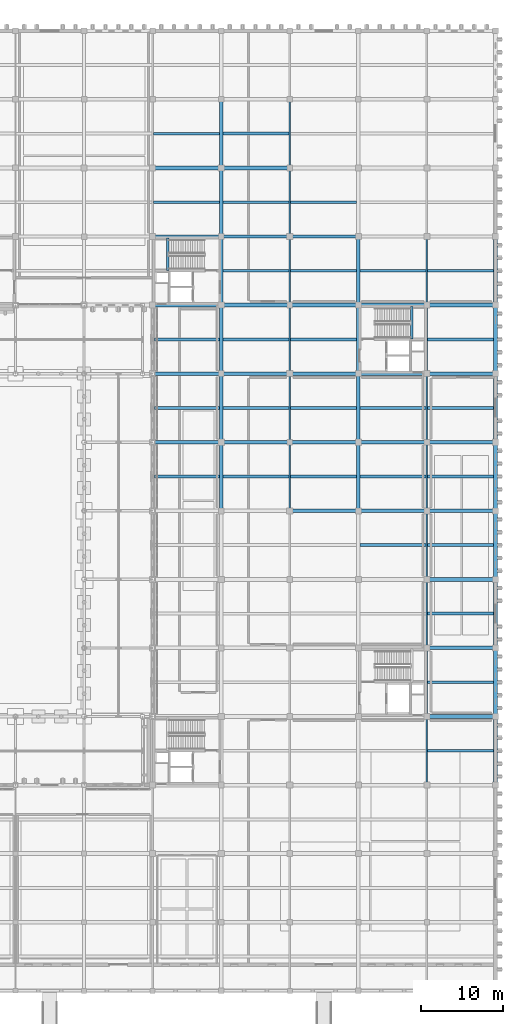
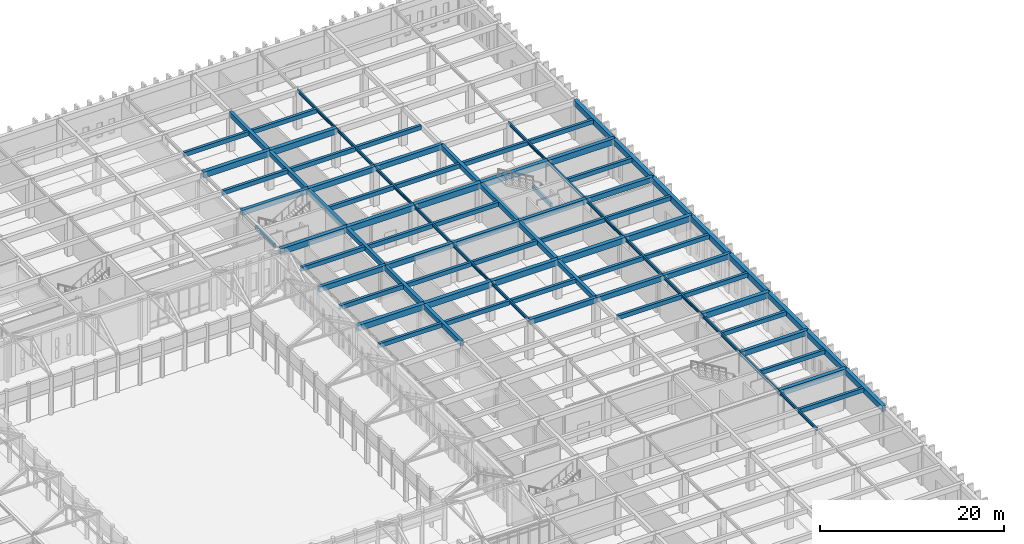
# One storey, part 69 of 143: 88 beams.
"""IFC4 building model written with IfcOpenShell, lengths in metres."""

import ifcopenshell
import ifcopenshell.guid

model = None  # the IFC model being written
_history = None  # IfcOwnerHistory: only IFC2X3 demands one
_inside = {}  # id of a spatial element -> (the spatial element, [elements in it])
_under = {}  # id of a project, library or spatial element -> (it, [spatial elements below it])
_declared = {}  # id of a project -> (the project, [libraries it declares])
_typed = {}  # id of a type object -> (the type object, [elements of that type])
_made_of = {}  # id of a material, layer set ... -> (it, [elements and type objects made of it])


def new_model(schema):
    """Start an empty IFC model of exactly this schema.

    Asked for "IFC4X3", IfcOpenShell would pick the latest addendum, in which some entities
    have other attributes; the version numbers below select the first issue.
    IFC2X3 requires an IfcOwnerHistory on every rooted entity: one is made here for all.
    """
    global model, _history
    if schema == "IFC4X3":
        model = ifcopenshell.file(schema_version=(4, 3, 0, 0))
    else:
        model = ifcopenshell.file(schema=schema)
    _inside.clear()
    _under.clear()
    _declared.clear()
    _typed.clear()
    _made_of.clear()
    _history = None
    if model.schema == "IFC2X3":
        org = make("IfcOrganization", Name="unknown")
        user = make(
            "IfcPersonAndOrganization",
            ThePerson=make("IfcPerson", FamilyName="unknown"),
            TheOrganization=org,
        )
        app = make(
            "IfcApplication",
            ApplicationDeveloper=org,
            Version="unknown",
            ApplicationFullName="unknown",
            ApplicationIdentifier="unknown",
        )
        _history = make(
            "IfcOwnerHistory",
            OwningUser=user,
            OwningApplication=app,
            ChangeAction="ADDED",
            CreationDate=0,
        )
    return model


def make(cls, **values):
    """One entity of the class cls with the attributes given. An attribute that is None is left unset."""
    return model.create_entity(
        cls, **{name: value for name, value in values.items() if value is not None}
    )


def rooted(cls, **values):
    """An entity with a GlobalId (a new one), such as an element, a storey or a relation."""
    return make(cls, GlobalId=ifcopenshell.guid.new(), OwnerHistory=_history, **values)


def si_unit(unit_type, name, prefix=None):
    """IfcSIUnit, for example si_unit("LENGTHUNIT", "METRE", prefix="MILLI")."""
    return make("IfcSIUnit", UnitType=unit_type, Prefix=prefix, Name=name)


def assignment(units):
    """IfcUnitAssignment: the units of a project."""
    return None if units is None else make("IfcUnitAssignment", Units=units)


def point(xyz):
    """IfcCartesianPoint."""
    return None if xyz is None else make("IfcCartesianPoint", Coordinates=xyz)


def direction(xyz):
    """IfcDirection."""
    return None if xyz is None else make("IfcDirection", DirectionRatios=xyz)


def frame(location, z_axis=None, x_axis=None):
    """IfcAxis2Placement3D, a coordinate frame: its origin and axes. An axis left out is left unset."""
    return make(
        "IfcAxis2Placement3D",
        Location=point(location),
        Axis=direction(z_axis),
        RefDirection=direction(x_axis),
    )


def frame_2d(location, x_axis=None):
    """IfcAxis2Placement2D, a coordinate frame in the plane: its origin and x axis."""
    return make(
        "IfcAxis2Placement2D", Location=point(location), RefDirection=direction(x_axis)
    )


def origin():
    """The frame at (0, 0, 0) with its axes left unset."""
    return frame((0.0, 0.0, 0.0))


def origin_2d():
    """The frame at (0, 0) in the plane with its x axis left unset."""
    return frame_2d((0.0, 0.0))


def place(relative_to, where):
    """IfcLocalPlacement: puts the frame where relative to a parent placement (None: the world)."""
    return make(
        "IfcLocalPlacement", PlacementRelTo=relative_to, RelativePlacement=where
    )


def context(
    kind, dimensions, precision=None, world=None, true_north=None, identifier=None
):
    """IfcGeometricRepresentationContext, for example the 3D "Model" context."""
    return make(
        "IfcGeometricRepresentationContext",
        ContextIdentifier=identifier,
        ContextType=kind,
        CoordinateSpaceDimension=dimensions,
        Precision=precision,
        WorldCoordinateSystem=world,
        TrueNorth=true_north,
    )


def subcontext(parent, identifier, kind, view, scale=None):
    """IfcGeometricRepresentationSubContext, for example "Body" below "Model"."""
    return make(
        "IfcGeometricRepresentationSubContext",
        ContextIdentifier=identifier,
        ContextType=kind,
        ParentContext=parent,
        TargetScale=scale,
        TargetView=view,
    )


def project(units=None, contexts=None):
    """IfcProject with its units and contexts."""
    return rooted(
        "IfcProject",
        Name="project",
        RepresentationContexts=contexts,
        UnitsInContext=assignment(units),
    )


def spatial(cls, under=None, at=None, **own):
    """A site, building, storey or space (cls), placed at a placement, below another one or the project."""
    s = rooted(cls, ObjectPlacement=at, **own)
    if under is not None:
        _under.setdefault(under.id(), (under, []))[1].append(s)
    return s


def profile(cls, at=None, kind="AREA", **sizes):
    """A parametric profile (cls). Its sizes go by their IFC names, for example OverallWidth=200.0."""
    return make(cls, ProfileType=kind, Position=at, **sizes)


def rectangle(**sizes):
    """IfcRectangleProfileDef."""
    return profile("IfcRectangleProfileDef", **sizes)


def i_section(**sizes):
    """IfcIShapeProfileDef."""
    return profile("IfcIShapeProfileDef", **sizes)


def extrude(swept, where, along, depth):
    """IfcExtrudedAreaSolid: the profile swept, set in the frame where, extruded along a direction by depth."""
    return make(
        "IfcExtrudedAreaSolid",
        SweptArea=swept,
        Position=where,
        ExtrudedDirection=direction(along),
        Depth=depth,
    )


def shape(context_of_items, identifier, shape_type, items):
    """IfcShapeRepresentation: the items that make up one representation, for example the "Body"."""
    return make(
        "IfcShapeRepresentation",
        ContextOfItems=context_of_items,
        RepresentationIdentifier=identifier,
        RepresentationType=shape_type,
        Items=items,
    )


def material(Name=None, Category=None):
    """IfcMaterial."""
    return make("IfcMaterial", Name=Name, Category=Category)


def material_profile(
    of_material, cross_section, Name=None, Category=None, Priority=None
):
    """IfcMaterialProfile: a cross section and its material."""
    return make(
        "IfcMaterialProfile",
        Name=Name,
        Material=of_material,
        Profile=cross_section,
        Priority=Priority,
        Category=Category,
    )


def profile_set(profiles, Name=None, composite=None):
    """IfcMaterialProfileSet."""
    return make(
        "IfcMaterialProfileSet",
        Name=Name,
        MaterialProfiles=profiles,
        CompositeProfile=composite,
    )


def made_of(thing, what):
    """Note that an element or type object is made of a material, layer set ...; save() writes the relation."""
    if what is not None:
        _made_of.setdefault(what.id(), (what, []))[1].append(thing)
    return thing


def type_object(cls, material=None, **own):
    """A type object (cls), such as IfcWallType, which elements share."""
    return made_of(rooted(cls, **own), material)


def element(
    cls,
    number,
    at=None,
    inside=None,
    cuts=None,
    type_object=None,
    material=None,
    context=None,
    identifier="Body",
    shape_type=None,
    held_by="IfcProductDefinitionShape",
    body=None,
    shapes=None,
    **own,
):
    """One element of the class cls, such as IfcWall. Its Tag is "e" and its number.

    at: its placement. inside: the storey or other place that contains it. cuts: it is an
    opening in that element (IfcRelVoidsElement). A single representation is given by context,
    identifier, shape_type and body (its items); several are given by shapes. held_by: the class
    of the entity that holds the representations. save() writes the other relations.
    """
    e = rooted(cls, Tag="e%d" % number, ObjectPlacement=at, **own)
    if body is not None:
        shapes = [shape(context, identifier, shape_type, body)]
    if shapes is not None:
        e.Representation = make(held_by, Representations=shapes)
    if inside is not None:
        _inside.setdefault(inside.id(), (inside, []))[1].append(e)
    if cuts is not None:
        rooted(
            "IfcRelVoidsElement", RelatingBuildingElement=cuts, RelatedOpeningElement=e
        )
    if type_object is not None:
        _typed.setdefault(type_object.id(), (type_object, []))[1].append(e)
    return made_of(e, material)


def aggregate(whole, parts):
    """IfcRelAggregates: a whole, such as a stair, and the parts it consists of."""
    return rooted("IfcRelAggregates", RelatingObject=whole, RelatedObjects=parts)


def save(model, path):
    """Write the relations noted so far, then the file.

    IfcRelAggregates (storeys below a building ...), IfcRelContainedInSpatialStructure (elements
    in a storey), IfcRelDefinesByType, IfcRelAssociatesMaterial and IfcRelDeclares: one each for
    every whole, place, type object, material and project.
    """
    for whole, parts in _under.values():
        aggregate(whole, parts)
    for where, things in _inside.values():
        rooted(
            "IfcRelContainedInSpatialStructure",
            RelatedElements=things,
            RelatingStructure=where,
        )
    for kind, things in _typed.values():
        rooted("IfcRelDefinesByType", RelatedObjects=things, RelatingType=kind)
    for what, things in _made_of.values():
        rooted("IfcRelAssociatesMaterial", RelatedObjects=things, RelatingMaterial=what)
    for by, libraries in _declared.values():
        rooted("IfcRelDeclares", RelatingContext=by, RelatedDefinitions=libraries)
    model.write(path)


model = new_model("IFC4")

# Units and contexts
model_context = context("Model", 3, precision=1e-05, world=origin(), true_north=direction((0.0, 1.0)))
body_context = subcontext(model_context, "Body", "Model", "MODEL_VIEW")
ifc_project = project(units=[si_unit("LENGTHUNIT", "METRE"), si_unit("AREAUNIT", "SQUARE_METRE"), si_unit("VOLUMEUNIT", "CUBIC_METRE"), si_unit("PLANEANGLEUNIT", "RADIAN"), si_unit("MASSUNIT", "GRAM", prefix="KILO")], contexts=[model_context])

# Site, building, storey
site_placement = place(None, origin())
site = spatial("IfcSite", under=ifc_project, at=site_placement, CompositionType="ELEMENT")
building_placement = place(site_placement, origin())
building = spatial("IfcBuilding", under=site, at=building_placement, Name="Kveldsbrygga Polytechnic", CompositionType="ELEMENT")
storey_placement = place(building_placement, origin())
storey = spatial("IfcBuildingStorey", under=building, at=storey_placement, Name="L00", CompositionType="ELEMENT", Elevation=0.0)

# Beams
ifc_material_1 = material(Name="Concrete C35/45", Category="concrete")
ifc_material_profile_1 = material_profile(ifc_material_1, rectangle(XDim=0.39990234375, YDim=0.64990234375, at=origin_2d()), Name="RC 400x650")
ifc_profile_set_1 = profile_set([ifc_material_profile_1], Name="Concrete C35/45")
beam_type_1 = type_object("IfcBeamType", Name="BM-RC-400x650", PredefinedType="BEAM", material=ifc_profile_set_1)
beam_1_placement = place(storey_placement, frame((134.39990234375, 58.800048828125, 4.81494140625), z_axis=(0.0, 1.0, 0.0), x_axis=(-1.0, 0.0, 0.0)))
element("IfcBeam", 1, at=beam_1_placement, inside=storey, type_object=beam_type_1, Name="Primary Beam BMY-L00-16-07to08", PredefinedType="BEAM", context=body_context, shape_type="SweptSolid", body=[
    extrude(rectangle(XDim=0.39990234375, YDim=0.64990234375, at=origin_2d()), origin(), (0.0, 0.0, 1.0), 8.39990234375),
])
beam_2_placement = place(storey_placement, frame((134.39990234375, 67.199951171875, 4.81494140625), z_axis=(0.0, 1.0, 0.0), x_axis=(-1.0, 0.0, 0.0)))
element("IfcBeam", 2, at=beam_2_placement, inside=storey, type_object=beam_type_1, Name="Primary Beam BMY-L00-16-08to09", PredefinedType="BEAM", context=body_context, shape_type="SweptSolid", body=[
    extrude(rectangle(XDim=0.39990234375, YDim=0.64990234375, at=origin_2d()), origin(), (0.0, 0.0, 1.0), 8.400146484375),
])
for number, where, z_axis, x_axis, name in (
    (3, (134.39990234375, 75.60009765625, 4.81494140625), (0.0, 1.0, 0.0), (-1.0, 0.0, 0.0), "Primary Beam BMY-L00-16-09to10"),
    (4, (134.39990234375, 84.0, 4.81494140625), (0.0, 1.0, 0.0), (-1.0, 0.0, 0.0), "Primary Beam BMY-L00-16-10to11"),
):
    element("IfcBeam", number, at=place(storey_placement, frame(where, z_axis=z_axis, x_axis=x_axis)), inside=storey, type_object=beam_type_1, Name=name, PredefinedType="BEAM", context=body_context, shape_type="SweptSolid", body=[
        extrude(rectangle(XDim=0.39990234375, YDim=0.64990234375, at=origin_2d()), origin(), (0.0, 0.0, 1.0), 8.39990234375),
    ])
beam_3_placement = place(storey_placement, frame((134.39990234375, 92.39990234375, 4.81494140625), z_axis=(0.0, 1.0, 0.0), x_axis=(-1.0, 0.0, 0.0)))
element("IfcBeam", 5, at=beam_3_placement, inside=storey, type_object=beam_type_1, Name="Primary Beam BMY-L00-16-11to12", PredefinedType="BEAM", context=body_context, shape_type="SweptSolid", body=[
    extrude(rectangle(XDim=0.39990234375, YDim=0.64990234375, at=origin_2d()), origin(), (0.0, 0.0, 1.0), 8.400146484375),
])
for number, where, z_axis, x_axis, name in (
    (6, (134.39990234375, 100.800048828125, 4.81494140625), (0.0, 1.0, 0.0), (-1.0, 0.0, 0.0), "Primary Beam BMY-L00-16-12to13"),
    (7, (151.199951171875, 58.800048828125, 4.81494140625), (0.0, 1.0, 0.0), (-1.0, 0.0, 0.0), "Primary Beam BMY-L00-18-07to08"),
):
    element("IfcBeam", number, at=place(storey_placement, frame(where, z_axis=z_axis, x_axis=x_axis)), inside=storey, type_object=beam_type_1, Name=name, PredefinedType="BEAM", context=body_context, shape_type="SweptSolid", body=[
        extrude(rectangle(XDim=0.39990234375, YDim=0.64990234375, at=origin_2d()), origin(), (0.0, 0.0, 1.0), 8.39990234375),
    ])
beam_4_placement = place(storey_placement, frame((151.199951171875, 67.199951171875, 4.81494140625), z_axis=(0.0, 1.0, 0.0), x_axis=(-1.0, 0.0, 0.0)))
element("IfcBeam", 8, at=beam_4_placement, inside=storey, type_object=beam_type_1, Name="Primary Beam BMY-L00-18-08to09", PredefinedType="BEAM", context=body_context, shape_type="SweptSolid", body=[
    extrude(rectangle(XDim=0.39990234375, YDim=0.64990234375, at=origin_2d()), origin(), (0.0, 0.0, 1.0), 8.400146484375),
])
for number, where, z_axis, x_axis, name in (
    (9, (151.199951171875, 75.60009765625, 4.81494140625), (0.0, 1.0, 0.0), (-1.0, 0.0, 0.0), "Primary Beam BMY-L00-18-09to10"),
    (10, (151.199951171875, 84.0, 4.81494140625), (0.0, 1.0, 0.0), (-1.0, 0.0, 0.0), "Primary Beam BMY-L00-18-10to11"),
):
    element("IfcBeam", number, at=place(storey_placement, frame(where, z_axis=z_axis, x_axis=x_axis)), inside=storey, type_object=beam_type_1, Name=name, PredefinedType="BEAM", context=body_context, shape_type="SweptSolid", body=[
        extrude(rectangle(XDim=0.39990234375, YDim=0.64990234375, at=origin_2d()), origin(), (0.0, 0.0, 1.0), 8.39990234375),
    ])
ifc_material_profile_2 = material_profile(ifc_material_1, rectangle(XDim=0.419921875, YDim=0.679931640625, at=origin_2d()), Name="RC 420x680")
ifc_profile_set_2 = profile_set([ifc_material_profile_2], Name="Concrete C35/45")
beam_type_2 = type_object("IfcBeamType", Name="BM-RC-420x680", PredefinedType="BEAM", material=ifc_profile_set_2)
for number, where, z_axis, x_axis, name in (
    (11, (159.60009765625, 42.0, 4.800048828125), (1.0, 0.0, 0.0), (0.0, 1.0, 0.0), "Primary Beam BMX-L00-19to20-05"),
    (12, (142.800048828125, 58.800048828125, 4.800048828125), (1.0, 0.0, 0.0), (0.0, 1.0, 0.0), "Primary Beam BMX-L00-17to18-07"),
):
    element("IfcBeam", number, at=place(storey_placement, frame(where, z_axis=z_axis, x_axis=x_axis)), inside=storey, type_object=beam_type_2, Name=name, PredefinedType="BEAM", context=body_context, shape_type="SweptSolid", body=[
        extrude(rectangle(XDim=0.419921875, YDim=0.679931640625, at=origin_2d()), origin(), (0.0, 0.0, 1.0), 8.39990234375),
    ])
beam_5_placement = place(storey_placement, frame((151.199951171875, 58.800048828125, 4.800048828125), z_axis=(1.0, 0.0, 0.0), x_axis=(0.0, 1.0, 0.0)))
element("IfcBeam", 13, at=beam_5_placement, inside=storey, type_object=beam_type_2, Name="Primary Beam BMX-L00-18to19-07", PredefinedType="BEAM", context=body_context, shape_type="SweptSolid", body=[
    extrude(rectangle(XDim=0.419921875, YDim=0.679931640625, at=origin_2d()), origin(), (0.0, 0.0, 1.0), 8.400146484375),
])
for number, where, z_axis, x_axis, name in (
    (14, (159.60009765625, 58.800048828125, 4.800048828125), (1.0, 0.0, 0.0), (0.0, 1.0, 0.0), "Primary Beam BMX-L00-19to20-07"),
    (15, (126.0, 75.60009765625, 4.800048828125), (1.0, 0.0, 0.0), (0.0, 1.0, 0.0), "Primary Beam BMX-L00-15to16-09"),
):
    element("IfcBeam", number, at=place(storey_placement, frame(where, z_axis=z_axis, x_axis=x_axis)), inside=storey, type_object=beam_type_2, Name=name, PredefinedType="BEAM", context=body_context, shape_type="SweptSolid", body=[
        extrude(rectangle(XDim=0.419921875, YDim=0.679931640625, at=origin_2d()), origin(), (0.0, 0.0, 1.0), 8.39990234375),
    ])
beam_6_placement = place(storey_placement, frame((134.39990234375, 75.60009765625, 4.800048828125), z_axis=(1.0, 0.0, 0.0), x_axis=(0.0, 1.0, 0.0)))
element("IfcBeam", 16, at=beam_6_placement, inside=storey, type_object=beam_type_2, Name="Primary Beam BMX-L00-16to17-09", PredefinedType="BEAM", context=body_context, shape_type="SweptSolid", body=[
    extrude(rectangle(XDim=0.419921875, YDim=0.679931640625, at=origin_2d()), origin(), (0.0, 0.0, 1.0), 8.400146484375),
])
beam_7_placement = place(storey_placement, frame((142.800048828125, 75.60009765625, 4.800048828125), z_axis=(1.0, 0.0, 0.0), x_axis=(0.0, 1.0, 0.0)))
element("IfcBeam", 17, at=beam_7_placement, inside=storey, type_object=beam_type_2, Name="Primary Beam BMX-L00-17to18-09", PredefinedType="BEAM", context=body_context, shape_type="SweptSolid", body=[
    extrude(rectangle(XDim=0.419921875, YDim=0.679931640625, at=origin_2d()), origin(), (0.0, 0.0, 1.0), 8.39990234375),
])
beam_8_placement = place(storey_placement, frame((151.199951171875, 75.60009765625, 4.800048828125), z_axis=(1.0, 0.0, 0.0), x_axis=(0.0, 1.0, 0.0)))
element("IfcBeam", 18, at=beam_8_placement, inside=storey, type_object=beam_type_2, Name="Primary Beam BMX-L00-18to19-09", PredefinedType="BEAM", context=body_context, shape_type="SweptSolid", body=[
    extrude(rectangle(XDim=0.419921875, YDim=0.679931640625, at=origin_2d()), origin(), (0.0, 0.0, 1.0), 8.400146484375),
])
for number, where, z_axis, x_axis, name in (
    (19, (159.60009765625, 75.60009765625, 4.800048828125), (1.0, 0.0, 0.0), (0.0, 1.0, 0.0), "Primary Beam BMX-L00-19to20-09"),
    (20, (126.0, 92.39990234375, 4.800048828125), (1.0, 0.0, 0.0), (0.0, 1.0, 0.0), "Primary Beam BMX-L00-15to16-11"),
):
    element("IfcBeam", number, at=place(storey_placement, frame(where, z_axis=z_axis, x_axis=x_axis)), inside=storey, type_object=beam_type_2, Name=name, PredefinedType="BEAM", context=body_context, shape_type="SweptSolid", body=[
        extrude(rectangle(XDim=0.419921875, YDim=0.679931640625, at=origin_2d()), origin(), (0.0, 0.0, 1.0), 8.39990234375),
    ])
beam_9_placement = place(storey_placement, frame((134.39990234375, 92.39990234375, 4.800048828125), z_axis=(1.0, 0.0, 0.0), x_axis=(0.0, 1.0, 0.0)))
element("IfcBeam", 21, at=beam_9_placement, inside=storey, type_object=beam_type_2, Name="Primary Beam BMX-L00-16to17-11", PredefinedType="BEAM", context=body_context, shape_type="SweptSolid", body=[
    extrude(rectangle(XDim=0.419921875, YDim=0.679931640625, at=origin_2d()), origin(), (0.0, 0.0, 1.0), 8.400146484375),
])
beam_10_placement = place(storey_placement, frame((142.800048828125, 92.39990234375, 4.800048828125), z_axis=(1.0, 0.0, 0.0), x_axis=(0.0, 1.0, 0.0)))
element("IfcBeam", 22, at=beam_10_placement, inside=storey, type_object=beam_type_2, Name="Primary Beam BMX-L00-17to18-11", PredefinedType="BEAM", context=body_context, shape_type="SweptSolid", body=[
    extrude(rectangle(XDim=0.419921875, YDim=0.679931640625, at=origin_2d()), origin(), (0.0, 0.0, 1.0), 8.39990234375),
])
ifc_material_profile_3 = material_profile(ifc_material_1, rectangle(XDim=0.449951171875, YDim=0.75, at=origin_2d()), Name="RC 450x750")
ifc_profile_set_3 = profile_set([ifc_material_profile_3], Name="Concrete C35/45")
beam_type_3 = type_object("IfcBeamType", Name="BM-RC-450x750", PredefinedType="BEAM", material=ifc_profile_set_3)
beam_11_placement = place(storey_placement, frame((168.0, 25.199951171875, 4.764892578125), z_axis=(0.0, 1.0, 0.0), x_axis=(-1.0, 0.0, 0.0)))
element("IfcBeam", 23, at=beam_11_placement, inside=storey, type_object=beam_type_3, Name="Primary Beam BMY-L00-20-03to04", PredefinedType="BEAM", context=body_context, shape_type="SweptSolid", body=[
    extrude(rectangle(XDim=0.449951171875, YDim=0.75, at=origin_2d()), origin(), (0.0, 0.0, 1.0), 8.400146484375),
])
for number, where, z_axis, x_axis, name in (
    (24, (168.0, 33.60009765625, 4.764892578125), (0.0, 1.0, 0.0), (-1.0, 0.0, 0.0), "Primary Beam BMY-L00-20-04to05"),
    (25, (168.0, 42.0, 4.764892578125), (0.0, 1.0, 0.0), (-1.0, 0.0, 0.0), "Primary Beam BMY-L00-20-05to06"),
):
    element("IfcBeam", number, at=place(storey_placement, frame(where, z_axis=z_axis, x_axis=x_axis)), inside=storey, type_object=beam_type_3, Name=name, PredefinedType="BEAM", context=body_context, shape_type="SweptSolid", body=[
        extrude(rectangle(XDim=0.449951171875, YDim=0.75, at=origin_2d()), origin(), (0.0, 0.0, 1.0), 8.39990234375),
    ])
beam_12_placement = place(storey_placement, frame((168.0, 50.39990234375, 4.764892578125), z_axis=(0.0, 1.0, 0.0), x_axis=(-1.0, 0.0, 0.0)))
element("IfcBeam", 26, at=beam_12_placement, inside=storey, type_object=beam_type_3, Name="Primary Beam BMY-L00-20-06to07", PredefinedType="BEAM", context=body_context, shape_type="SweptSolid", body=[
    extrude(rectangle(XDim=0.449951171875, YDim=0.75, at=origin_2d()), origin(), (0.0, 0.0, 1.0), 8.400146484375),
])
beam_13_placement = place(storey_placement, frame((168.0, 58.800048828125, 4.764892578125), z_axis=(0.0, 1.0, 0.0), x_axis=(-1.0, 0.0, 0.0)))
element("IfcBeam", 27, at=beam_13_placement, inside=storey, type_object=beam_type_3, Name="Primary Beam BMY-L00-20-07to08", PredefinedType="BEAM", context=body_context, shape_type="SweptSolid", body=[
    extrude(rectangle(XDim=0.449951171875, YDim=0.75, at=origin_2d()), origin(), (0.0, 0.0, 1.0), 8.39990234375),
])
beam_14_placement = place(storey_placement, frame((168.0, 67.199951171875, 4.764892578125), z_axis=(0.0, 1.0, 0.0), x_axis=(-1.0, 0.0, 0.0)))
element("IfcBeam", 28, at=beam_14_placement, inside=storey, type_object=beam_type_3, Name="Primary Beam BMY-L00-20-08to09", PredefinedType="BEAM", context=body_context, shape_type="SweptSolid", body=[
    extrude(rectangle(XDim=0.449951171875, YDim=0.75, at=origin_2d()), origin(), (0.0, 0.0, 1.0), 8.400146484375),
])
for number, where, z_axis, x_axis, name in (
    (29, (168.0, 75.60009765625, 4.764892578125), (0.0, 1.0, 0.0), (-1.0, 0.0, 0.0), "Primary Beam BMY-L00-20-09to10"),
    (30, (168.0, 84.0, 4.764892578125), (0.0, 1.0, 0.0), (-1.0, 0.0, 0.0), "Primary Beam BMY-L00-20-10to11"),
):
    element("IfcBeam", number, at=place(storey_placement, frame(where, z_axis=z_axis, x_axis=x_axis)), inside=storey, type_object=beam_type_3, Name=name, PredefinedType="BEAM", context=body_context, shape_type="SweptSolid", body=[
        extrude(rectangle(XDim=0.449951171875, YDim=0.75, at=origin_2d()), origin(), (0.0, 0.0, 1.0), 8.39990234375),
    ])
ifc_material_profile_4 = material_profile(ifc_material_1, rectangle(XDim=0.47998046875, YDim=0.780029296875, at=origin_2d()), Name="RC 480x780")
ifc_profile_set_4 = profile_set([ifc_material_profile_4], Name="Concrete C35/45")
beam_type_4 = type_object("IfcBeamType", Name="BM-RC-480x780", PredefinedType="BEAM", material=ifc_profile_set_4)
for number, where, z_axis, x_axis, name in (
    (31, (159.60009765625, 33.60009765625, 4.75), (1.0, 0.0, 0.0), (0.0, 1.0, 0.0), "Primary Beam BMX-L00-19to20-04"),
    (32, (159.60009765625, 50.39990234375, 4.75), (1.0, 0.0, 0.0), (0.0, 1.0, 0.0), "Primary Beam BMX-L00-19to20-06"),
    (33, (126.0, 67.199951171875, 4.75), (1.0, 0.0, 0.0), (0.0, 1.0, 0.0), "Primary Beam BMX-L00-15to16-08"),
):
    element("IfcBeam", number, at=place(storey_placement, frame(where, z_axis=z_axis, x_axis=x_axis)), inside=storey, type_object=beam_type_4, Name=name, PredefinedType="BEAM", context=body_context, shape_type="SweptSolid", body=[
        extrude(rectangle(XDim=0.47998046875, YDim=0.780029296875, at=origin_2d()), origin(), (0.0, 0.0, 1.0), 8.39990234375),
    ])
beam_15_placement = place(storey_placement, frame((134.39990234375, 67.199951171875, 4.75), z_axis=(1.0, 0.0, 0.0), x_axis=(0.0, 1.0, 0.0)))
element("IfcBeam", 34, at=beam_15_placement, inside=storey, type_object=beam_type_4, Name="Primary Beam BMX-L00-16to17-08", PredefinedType="BEAM", context=body_context, shape_type="SweptSolid", body=[
    extrude(rectangle(XDim=0.47998046875, YDim=0.780029296875, at=origin_2d()), origin(), (0.0, 0.0, 1.0), 8.400146484375),
])
beam_16_placement = place(storey_placement, frame((142.800048828125, 67.199951171875, 4.75), z_axis=(1.0, 0.0, 0.0), x_axis=(0.0, 1.0, 0.0)))
element("IfcBeam", 35, at=beam_16_placement, inside=storey, type_object=beam_type_4, Name="Primary Beam BMX-L00-17to18-08", PredefinedType="BEAM", context=body_context, shape_type="SweptSolid", body=[
    extrude(rectangle(XDim=0.47998046875, YDim=0.780029296875, at=origin_2d()), origin(), (0.0, 0.0, 1.0), 8.39990234375),
])
beam_17_placement = place(storey_placement, frame((151.199951171875, 67.199951171875, 4.75), z_axis=(1.0, 0.0, 0.0), x_axis=(0.0, 1.0, 0.0)))
element("IfcBeam", 36, at=beam_17_placement, inside=storey, type_object=beam_type_4, Name="Primary Beam BMX-L00-18to19-08", PredefinedType="BEAM", context=body_context, shape_type="SweptSolid", body=[
    extrude(rectangle(XDim=0.47998046875, YDim=0.780029296875, at=origin_2d()), origin(), (0.0, 0.0, 1.0), 8.400146484375),
])
for number, where, z_axis, x_axis, name in (
    (37, (159.60009765625, 67.199951171875, 4.75), (1.0, 0.0, 0.0), (0.0, 1.0, 0.0), "Primary Beam BMX-L00-19to20-08"),
    (38, (126.0, 84.0, 4.75), (1.0, 0.0, 0.0), (0.0, 1.0, 0.0), "Primary Beam BMX-L00-15to16-10"),
):
    element("IfcBeam", number, at=place(storey_placement, frame(where, z_axis=z_axis, x_axis=x_axis)), inside=storey, type_object=beam_type_4, Name=name, PredefinedType="BEAM", context=body_context, shape_type="SweptSolid", body=[
        extrude(rectangle(XDim=0.47998046875, YDim=0.780029296875, at=origin_2d()), origin(), (0.0, 0.0, 1.0), 8.39990234375),
    ])
beam_18_placement = place(storey_placement, frame((134.39990234375, 84.0, 4.75), z_axis=(1.0, 0.0, 0.0), x_axis=(0.0, 1.0, 0.0)))
element("IfcBeam", 39, at=beam_18_placement, inside=storey, type_object=beam_type_4, Name="Primary Beam BMX-L00-16to17-10", PredefinedType="BEAM", context=body_context, shape_type="SweptSolid", body=[
    extrude(rectangle(XDim=0.47998046875, YDim=0.780029296875, at=origin_2d()), origin(), (0.0, 0.0, 1.0), 8.400146484375),
])
beam_19_placement = place(storey_placement, frame((142.800048828125, 84.0, 4.75), z_axis=(1.0, 0.0, 0.0), x_axis=(0.0, 1.0, 0.0)))
element("IfcBeam", 40, at=beam_19_placement, inside=storey, type_object=beam_type_4, Name="Primary Beam BMX-L00-17to18-10", PredefinedType="BEAM", context=body_context, shape_type="SweptSolid", body=[
    extrude(rectangle(XDim=0.47998046875, YDim=0.780029296875, at=origin_2d()), origin(), (0.0, 0.0, 1.0), 8.39990234375),
])
beam_20_placement = place(storey_placement, frame((151.199951171875, 84.0, 4.75), z_axis=(1.0, 0.0, 0.0), x_axis=(0.0, 1.0, 0.0)))
element("IfcBeam", 41, at=beam_20_placement, inside=storey, type_object=beam_type_4, Name="Primary Beam BMX-L00-18to19-10", PredefinedType="BEAM", context=body_context, shape_type="SweptSolid", body=[
    extrude(rectangle(XDim=0.47998046875, YDim=0.780029296875, at=origin_2d()), origin(), (0.0, 0.0, 1.0), 8.400146484375),
])
for number, where, z_axis, x_axis, name in (
    (42, (159.60009765625, 84.0, 4.75), (1.0, 0.0, 0.0), (0.0, 1.0, 0.0), "Primary Beam BMX-L00-19to20-10"),
    (43, (126.0, 100.800048828125, 4.75), (1.0, 0.0, 0.0), (0.0, 1.0, 0.0), "Primary Beam BMX-L00-15to16-12"),
):
    element("IfcBeam", number, at=place(storey_placement, frame(where, z_axis=z_axis, x_axis=x_axis)), inside=storey, type_object=beam_type_4, Name=name, PredefinedType="BEAM", context=body_context, shape_type="SweptSolid", body=[
        extrude(rectangle(XDim=0.47998046875, YDim=0.780029296875, at=origin_2d()), origin(), (0.0, 0.0, 1.0), 8.39990234375),
    ])
beam_21_placement = place(storey_placement, frame((134.39990234375, 100.800048828125, 4.75), z_axis=(1.0, 0.0, 0.0), x_axis=(0.0, 1.0, 0.0)))
element("IfcBeam", 44, at=beam_21_placement, inside=storey, type_object=beam_type_4, Name="Primary Beam BMX-L00-16to17-12", PredefinedType="BEAM", context=body_context, shape_type="SweptSolid", body=[
    extrude(rectangle(XDim=0.47998046875, YDim=0.780029296875, at=origin_2d()), origin(), (0.0, 0.0, 1.0), 8.400146484375),
])
ifc_material_2 = material(Name="Steel S355", Category="steel")
ifc_material_profile_5 = material_profile(ifc_material_2, i_section(OverallWidth=0.179931640625, OverallDepth=0.39990234375, WebThickness=0.008544921875, FlangeThickness=0.013427734375, FilletRadius=0.02099609375, at=origin_2d()), Name="IPE 400")
ifc_profile_set_5 = profile_set([ifc_material_profile_5], Name="Steel S355")
beam_type_5 = type_object("IfcBeamType", Name="BM-STL-IPE400", PredefinedType="BEAM", material=ifc_profile_set_5)
beam_22_placement = place(storey_placement, frame((142.800048828125, 58.800048828125, 4.93994140625), z_axis=(0.0, 1.0, 0.0), x_axis=(-1.0, 0.0, 0.0)))
element("IfcBeam", 45, at=beam_22_placement, inside=storey, type_object=beam_type_5, Name="Primary Beam BMY-L00-17-07to08", PredefinedType="BEAM", context=body_context, shape_type="SweptSolid", body=[
    extrude(i_section(OverallWidth=0.179931640625, OverallDepth=0.39990234375, WebThickness=0.008544921875, FlangeThickness=0.013427734375, FilletRadius=0.02099609375, at=origin_2d()), origin(), (0.0, 0.0, 1.0), 8.39990234375),
])
beam_23_placement = place(storey_placement, frame((142.800048828125, 67.199951171875, 4.93994140625), z_axis=(0.0, 1.0, 0.0), x_axis=(-1.0, 0.0, 0.0)))
element("IfcBeam", 46, at=beam_23_placement, inside=storey, type_object=beam_type_5, Name="Primary Beam BMY-L00-17-08to09", PredefinedType="BEAM", context=body_context, shape_type="SweptSolid", body=[
    extrude(i_section(OverallWidth=0.179931640625, OverallDepth=0.39990234375, WebThickness=0.008544921875, FlangeThickness=0.013427734375, FilletRadius=0.02099609375, at=origin_2d()), origin(), (0.0, 0.0, 1.0), 8.400146484375),
])
for number, where, z_axis, x_axis, name in (
    (47, (142.800048828125, 75.60009765625, 4.93994140625), (0.0, 1.0, 0.0), (-1.0, 0.0, 0.0), "Primary Beam BMY-L00-17-09to10"),
    (48, (142.800048828125, 84.0, 4.93994140625), (0.0, 1.0, 0.0), (-1.0, 0.0, 0.0), "Primary Beam BMY-L00-17-10to11"),
):
    element("IfcBeam", number, at=place(storey_placement, frame(where, z_axis=z_axis, x_axis=x_axis)), inside=storey, type_object=beam_type_5, Name=name, PredefinedType="BEAM", context=body_context, shape_type="SweptSolid", body=[
        extrude(i_section(OverallWidth=0.179931640625, OverallDepth=0.39990234375, WebThickness=0.008544921875, FlangeThickness=0.013427734375, FilletRadius=0.02099609375, at=origin_2d()), origin(), (0.0, 0.0, 1.0), 8.39990234375),
    ])
beam_24_placement = place(storey_placement, frame((142.800048828125, 92.39990234375, 4.93994140625), z_axis=(0.0, 1.0, 0.0), x_axis=(-1.0, 0.0, 0.0)))
element("IfcBeam", 49, at=beam_24_placement, inside=storey, type_object=beam_type_5, Name="Primary Beam BMY-L00-17-11to12", PredefinedType="BEAM", context=body_context, shape_type="SweptSolid", body=[
    extrude(i_section(OverallWidth=0.179931640625, OverallDepth=0.39990234375, WebThickness=0.008544921875, FlangeThickness=0.013427734375, FilletRadius=0.02099609375, at=origin_2d()), origin(), (0.0, 0.0, 1.0), 8.400146484375),
])
beam_25_placement = place(storey_placement, frame((142.800048828125, 100.800048828125, 4.93994140625), z_axis=(0.0, 1.0, 0.0), x_axis=(-1.0, 0.0, 0.0)))
element("IfcBeam", 50, at=beam_25_placement, inside=storey, type_object=beam_type_5, Name="Primary Beam BMY-L00-17-12to13", PredefinedType="BEAM", context=body_context, shape_type="SweptSolid", body=[
    extrude(i_section(OverallWidth=0.179931640625, OverallDepth=0.39990234375, WebThickness=0.008544921875, FlangeThickness=0.013427734375, FilletRadius=0.02099609375, at=origin_2d()), origin(), (0.0, 0.0, 1.0), 8.39990234375),
])
beam_26_placement = place(storey_placement, frame((159.60009765625, 25.199951171875, 4.93994140625), z_axis=(0.0, 1.0, 0.0), x_axis=(-1.0, 0.0, 0.0)))
element("IfcBeam", 51, at=beam_26_placement, inside=storey, type_object=beam_type_5, Name="Primary Beam BMY-L00-19-03to04", PredefinedType="BEAM", context=body_context, shape_type="SweptSolid", body=[
    extrude(i_section(OverallWidth=0.179931640625, OverallDepth=0.39990234375, WebThickness=0.008544921875, FlangeThickness=0.013427734375, FilletRadius=0.02099609375, at=origin_2d()), origin(), (0.0, 0.0, 1.0), 8.400146484375),
])
for number, where, z_axis, x_axis, name in (
    (52, (159.60009765625, 33.60009765625, 4.93994140625), (0.0, 1.0, 0.0), (-1.0, 0.0, 0.0), "Primary Beam BMY-L00-19-04to05"),
    (53, (159.60009765625, 42.0, 4.93994140625), (0.0, 1.0, 0.0), (-1.0, 0.0, 0.0), "Primary Beam BMY-L00-19-05to06"),
):
    element("IfcBeam", number, at=place(storey_placement, frame(where, z_axis=z_axis, x_axis=x_axis)), inside=storey, type_object=beam_type_5, Name=name, PredefinedType="BEAM", context=body_context, shape_type="SweptSolid", body=[
        extrude(i_section(OverallWidth=0.179931640625, OverallDepth=0.39990234375, WebThickness=0.008544921875, FlangeThickness=0.013427734375, FilletRadius=0.02099609375, at=origin_2d()), origin(), (0.0, 0.0, 1.0), 8.39990234375),
    ])
beam_27_placement = place(storey_placement, frame((159.60009765625, 50.39990234375, 4.93994140625), z_axis=(0.0, 1.0, 0.0), x_axis=(-1.0, 0.0, 0.0)))
element("IfcBeam", 54, at=beam_27_placement, inside=storey, type_object=beam_type_5, Name="Primary Beam BMY-L00-19-06to07", PredefinedType="BEAM", context=body_context, shape_type="SweptSolid", body=[
    extrude(i_section(OverallWidth=0.179931640625, OverallDepth=0.39990234375, WebThickness=0.008544921875, FlangeThickness=0.013427734375, FilletRadius=0.02099609375, at=origin_2d()), origin(), (0.0, 0.0, 1.0), 8.400146484375),
])
beam_28_placement = place(storey_placement, frame((159.60009765625, 58.800048828125, 4.93994140625), z_axis=(0.0, 1.0, 0.0), x_axis=(-1.0, 0.0, 0.0)))
element("IfcBeam", 55, at=beam_28_placement, inside=storey, type_object=beam_type_5, Name="Primary Beam BMY-L00-19-07to08", PredefinedType="BEAM", context=body_context, shape_type="SweptSolid", body=[
    extrude(i_section(OverallWidth=0.179931640625, OverallDepth=0.39990234375, WebThickness=0.008544921875, FlangeThickness=0.013427734375, FilletRadius=0.02099609375, at=origin_2d()), origin(), (0.0, 0.0, 1.0), 8.39990234375),
])
beam_29_placement = place(storey_placement, frame((159.60009765625, 67.199951171875, 4.93994140625), z_axis=(0.0, 1.0, 0.0), x_axis=(-1.0, 0.0, 0.0)))
element("IfcBeam", 56, at=beam_29_placement, inside=storey, type_object=beam_type_5, Name="Primary Beam BMY-L00-19-08to09", PredefinedType="BEAM", context=body_context, shape_type="SweptSolid", body=[
    extrude(i_section(OverallWidth=0.179931640625, OverallDepth=0.39990234375, WebThickness=0.008544921875, FlangeThickness=0.013427734375, FilletRadius=0.02099609375, at=origin_2d()), origin(), (0.0, 0.0, 1.0), 8.400146484375),
])
for number, where, z_axis, x_axis, name in (
    (57, (159.60009765625, 75.60009765625, 4.93994140625), (0.0, 1.0, 0.0), (-1.0, 0.0, 0.0), "Primary Beam BMY-L00-19-09to10"),
    (58, (159.60009765625, 84.0, 4.93994140625), (0.0, 1.0, 0.0), (-1.0, 0.0, 0.0), "Primary Beam BMY-L00-19-10to11"),
):
    element("IfcBeam", number, at=place(storey_placement, frame(where, z_axis=z_axis, x_axis=x_axis)), inside=storey, type_object=beam_type_5, Name=name, PredefinedType="BEAM", context=body_context, shape_type="SweptSolid", body=[
        extrude(i_section(OverallWidth=0.179931640625, OverallDepth=0.39990234375, WebThickness=0.008544921875, FlangeThickness=0.013427734375, FilletRadius=0.02099609375, at=origin_2d()), origin(), (0.0, 0.0, 1.0), 8.39990234375),
    ])
ifc_material_profile_6 = material_profile(ifc_material_1, rectangle(XDim=0.340087890625, YDim=0.56005859375, at=origin_2d()), Name="RC 340x560")
ifc_profile_set_6 = profile_set([ifc_material_profile_6], Name="Concrete C35/45")
beam_type_6 = type_object("IfcBeamType", Name="JST-RC-340x560", PredefinedType="JOIST", material=ifc_profile_set_6)
beam_30_placement = place(storey_placement, frame((126.22509765625, 71.39990234375, 4.860107421875), z_axis=(1.0, 0.0, 0.0), x_axis=(0.0, 1.0, 0.0)))
element("IfcBeam", 59, at=beam_30_placement, inside=storey, type_object=beam_type_6, Name="Secondary Joist JST-L00-15-08", PredefinedType="JOIST", context=body_context, shape_type="SweptSolid", body=[
    extrude(rectangle(XDim=0.340087890625, YDim=0.56005859375, at=origin_2d()), origin(), (0.0, 0.0, 1.0), 7.974853515625),
])
for number, where, z_axis, x_axis, name in (
    (60, (126.090087890625, 105.0, 4.860107421875), (1.0, 0.0, 0.0), (0.0, 1.0, 0.0), "Secondary Joist JST-L00-15-12"),
    (61, (134.60009765625, 63.0, 4.860107421875), (1.0, 0.0, 0.0), (0.0, 1.0, 0.0), "Secondary Joist JST-L00-16-07"),
    (62, (134.60009765625, 79.800048828125, 4.860107421875), (1.0, 0.0, 0.0), (0.0, 1.0, 0.0), "Secondary Joist JST-L00-16-09"),
    (63, (134.60009765625, 96.60009765625, 4.860107421875), (1.0, 0.0, 0.0), (0.0, 1.0, 0.0), "Secondary Joist JST-L00-16-11"),
):
    element("IfcBeam", number, at=place(storey_placement, frame(where, z_axis=z_axis, x_axis=x_axis)), inside=storey, type_object=beam_type_6, Name=name, PredefinedType="JOIST", context=body_context, shape_type="SweptSolid", body=[
        extrude(rectangle(XDim=0.340087890625, YDim=0.56005859375, at=origin_2d()), origin(), (0.0, 0.0, 1.0), 8.10986328125),
    ])
for number, where, z_axis, x_axis, name in (
    (64, (142.889892578125, 71.39990234375, 4.860107421875), (1.0, 0.0, 0.0), (0.0, 1.0, 0.0), "Secondary Joist JST-L00-17-08"),
    (65, (142.889892578125, 88.199951171875, 4.860107421875), (1.0, 0.0, 0.0), (0.0, 1.0, 0.0), "Secondary Joist JST-L00-17-10"),
    (66, (151.39990234375, 63.0, 4.860107421875), (1.0, 0.0, 0.0), (0.0, 1.0, 0.0), "Secondary Joist JST-L00-18-07"),
):
    element("IfcBeam", number, at=place(storey_placement, frame(where, z_axis=z_axis, x_axis=x_axis)), inside=storey, type_object=beam_type_6, Name=name, PredefinedType="JOIST", context=body_context, shape_type="SweptSolid", body=[
        extrude(rectangle(XDim=0.340087890625, YDim=0.56005859375, at=origin_2d()), origin(), (0.0, 0.0, 1.0), 8.110107421875),
    ])
for number, where, z_axis, x_axis, name in (
    (67, (159.68994140625, 37.800048828125, 4.860107421875), (1.0, 0.0, 0.0), (0.0, 1.0, 0.0), "Secondary Joist JST-L00-19-04"),
    (68, (159.68994140625, 54.60009765625, 4.860107421875), (1.0, 0.0, 0.0), (0.0, 1.0, 0.0), "Secondary Joist JST-L00-19-06"),
    (69, (159.68994140625, 71.39990234375, 4.860107421875), (1.0, 0.0, 0.0), (0.0, 1.0, 0.0), "Secondary Joist JST-L00-19-08"),
    (70, (159.68994140625, 88.199951171875, 4.860107421875), (1.0, 0.0, 0.0), (0.0, 1.0, 0.0), "Secondary Joist JST-L00-19-10"),
):
    element("IfcBeam", number, at=place(storey_placement, frame(where, z_axis=z_axis, x_axis=x_axis)), inside=storey, type_object=beam_type_6, Name=name, PredefinedType="JOIST", context=body_context, shape_type="SweptSolid", body=[
        extrude(rectangle(XDim=0.340087890625, YDim=0.56005859375, at=origin_2d()), origin(), (0.0, 0.0, 1.0), 8.0849609375),
    ])
ifc_material_profile_7 = material_profile(ifc_material_1, rectangle(XDim=0.35009765625, YDim=0.550048828125, at=origin_2d()), Name="RC 350x550")
ifc_profile_set_7 = profile_set([ifc_material_profile_7], Name="Concrete C35/45")
beam_type_7 = type_object("IfcBeamType", Name="JST-RC-350x550", PredefinedType="JOIST", material=ifc_profile_set_7)
for number, where, z_axis, x_axis, name in (
    (71, (126.22509765625, 63.0, 4.864990234375), (1.0, 0.0, 0.0), (0.0, 1.0, 0.0), "Secondary Joist JST-L00-15-07"),
    (72, (126.22509765625, 79.800048828125, 4.864990234375), (1.0, 0.0, 0.0), (0.0, 1.0, 0.0), "Secondary Joist JST-L00-15-09"),
):
    element("IfcBeam", number, at=place(storey_placement, frame(where, z_axis=z_axis, x_axis=x_axis)), inside=storey, type_object=beam_type_7, Name=name, PredefinedType="JOIST", context=body_context, shape_type="SweptSolid", body=[
        extrude(rectangle(XDim=0.35009765625, YDim=0.550048828125, at=origin_2d()), origin(), (0.0, 0.0, 1.0), 7.974853515625),
    ])
for number, where, z_axis, x_axis, name in (
    (73, (126.090087890625, 96.60009765625, 4.864990234375), (1.0, 0.0, 0.0), (0.0, 1.0, 0.0), "Secondary Joist JST-L00-15-11"),
    (74, (134.60009765625, 71.39990234375, 4.864990234375), (1.0, 0.0, 0.0), (0.0, 1.0, 0.0), "Secondary Joist JST-L00-16-08"),
    (75, (134.60009765625, 88.199951171875, 4.864990234375), (1.0, 0.0, 0.0), (0.0, 1.0, 0.0), "Secondary Joist JST-L00-16-10"),
    (76, (134.60009765625, 105.0, 4.864990234375), (1.0, 0.0, 0.0), (0.0, 1.0, 0.0), "Secondary Joist JST-L00-16-12"),
):
    element("IfcBeam", number, at=place(storey_placement, frame(where, z_axis=z_axis, x_axis=x_axis)), inside=storey, type_object=beam_type_7, Name=name, PredefinedType="JOIST", context=body_context, shape_type="SweptSolid", body=[
        extrude(rectangle(XDim=0.35009765625, YDim=0.550048828125, at=origin_2d()), origin(), (0.0, 0.0, 1.0), 8.10986328125),
    ])
for number, where, z_axis, x_axis, name in (
    (77, (142.889892578125, 63.0, 4.864990234375), (1.0, 0.0, 0.0), (0.0, 1.0, 0.0), "Secondary Joist JST-L00-17-07"),
    (78, (142.889892578125, 79.800048828125, 4.864990234375), (1.0, 0.0, 0.0), (0.0, 1.0, 0.0), "Secondary Joist JST-L00-17-09"),
    (79, (142.889892578125, 96.60009765625, 4.864990234375), (1.0, 0.0, 0.0), (0.0, 1.0, 0.0), "Secondary Joist JST-L00-17-11"),
    (80, (151.39990234375, 54.60009765625, 4.864990234375), (1.0, 0.0, 0.0), (0.0, 1.0, 0.0), "Secondary Joist JST-L00-18-06"),
    (81, (151.39990234375, 71.39990234375, 4.864990234375), (1.0, 0.0, 0.0), (0.0, 1.0, 0.0), "Secondary Joist JST-L00-18-08"),
    (82, (151.39990234375, 88.199951171875, 4.864990234375), (1.0, 0.0, 0.0), (0.0, 1.0, 0.0), "Secondary Joist JST-L00-18-10"),
):
    element("IfcBeam", number, at=place(storey_placement, frame(where, z_axis=z_axis, x_axis=x_axis)), inside=storey, type_object=beam_type_7, Name=name, PredefinedType="JOIST", context=body_context, shape_type="SweptSolid", body=[
        extrude(rectangle(XDim=0.35009765625, YDim=0.550048828125, at=origin_2d()), origin(), (0.0, 0.0, 1.0), 8.110107421875),
    ])
for number, where, z_axis, x_axis, name in (
    (83, (159.68994140625, 29.39990234375, 4.864990234375), (1.0, 0.0, 0.0), (0.0, 1.0, 0.0), "Secondary Joist JST-L00-19-03"),
    (84, (159.68994140625, 46.199951171875, 4.864990234375), (1.0, 0.0, 0.0), (0.0, 1.0, 0.0), "Secondary Joist JST-L00-19-05"),
    (85, (159.68994140625, 63.0, 4.864990234375), (1.0, 0.0, 0.0), (0.0, 1.0, 0.0), "Secondary Joist JST-L00-19-07"),
    (86, (159.68994140625, 79.800048828125, 4.864990234375), (1.0, 0.0, 0.0), (0.0, 1.0, 0.0), "Secondary Joist JST-L00-19-09"),
):
    element("IfcBeam", number, at=place(storey_placement, frame(where, z_axis=z_axis, x_axis=x_axis)), inside=storey, type_object=beam_type_7, Name=name, PredefinedType="JOIST", context=body_context, shape_type="SweptSolid", body=[
        extrude(rectangle(XDim=0.35009765625, YDim=0.550048828125, at=origin_2d()), origin(), (0.0, 0.0, 1.0), 8.0849609375),
    ])
ifc_material_profile_8 = material_profile(ifc_material_1, rectangle(XDim=0.300048828125, YDim=0.5, at=origin_2d()), Name="RC 300x500")
ifc_profile_set_8 = profile_set([ifc_material_profile_8], Name="Concrete C35/45")
beam_type_8 = type_object("IfcBeamType", Name="LNT-RC-300x500", PredefinedType="LINTEL", material=ifc_profile_set_8)
for number, where, z_axis, x_axis, name in (
    (87, (127.85009765625, 88.22998046875, 2.27001953125), (0.0, 1.0, 0.0), (-1.0, 0.0, 0.0), "Stair Landing Support Beam C2-L00-LNDB-1-1"),
    (88, (157.75, 79.830078125, 2.27001953125), (0.0, 1.0, 0.0), (-1.0, 0.0, 0.0), "Stair Landing Support Beam C4-L00-LNDB-1-1"),
):
    element("IfcBeam", number, at=place(storey_placement, frame(where, z_axis=z_axis, x_axis=x_axis)), inside=storey, type_object=beam_type_8, Name=name, PredefinedType="LINTEL", context=body_context, shape_type="SweptSolid", body=[
        extrude(rectangle(XDim=0.300048828125, YDim=0.5, at=origin_2d()), origin(), (0.0, 0.0, 1.0), 4.02001953125),
    ])

save(model, "model.ifc")
